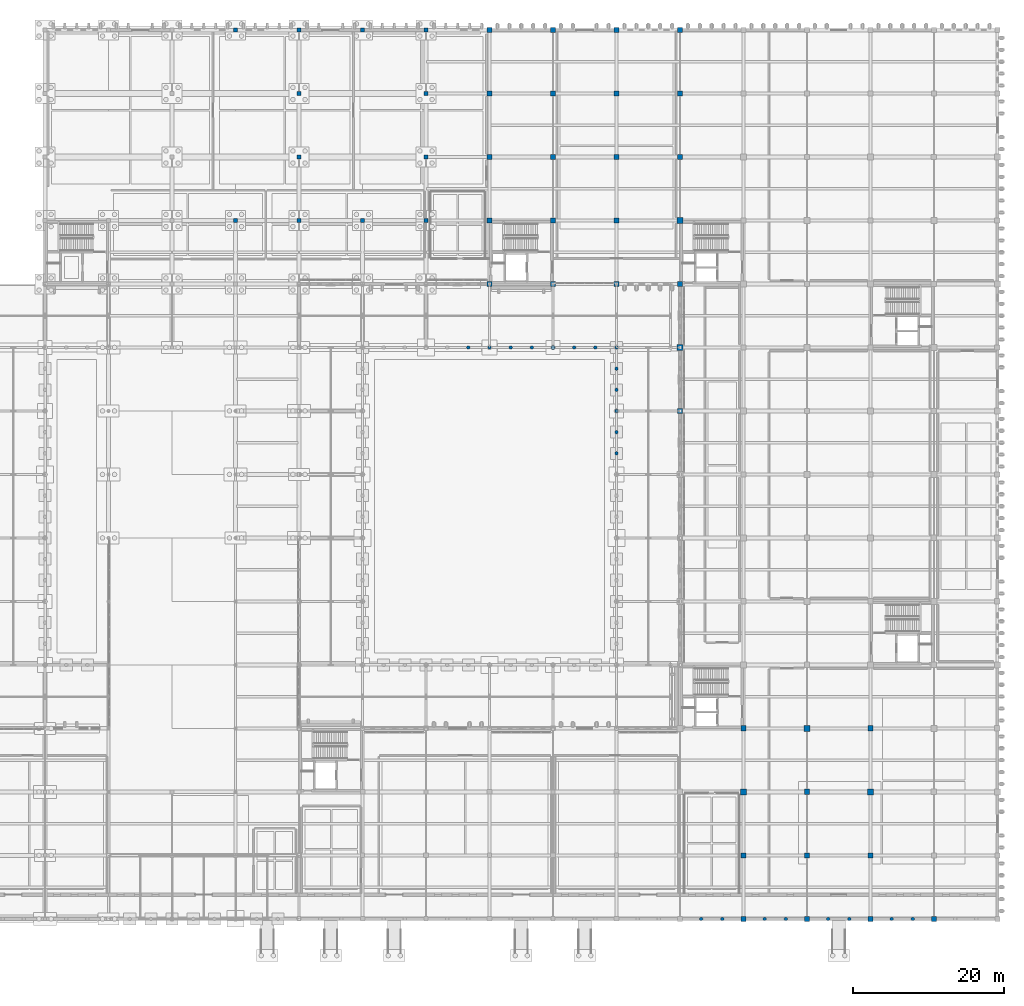
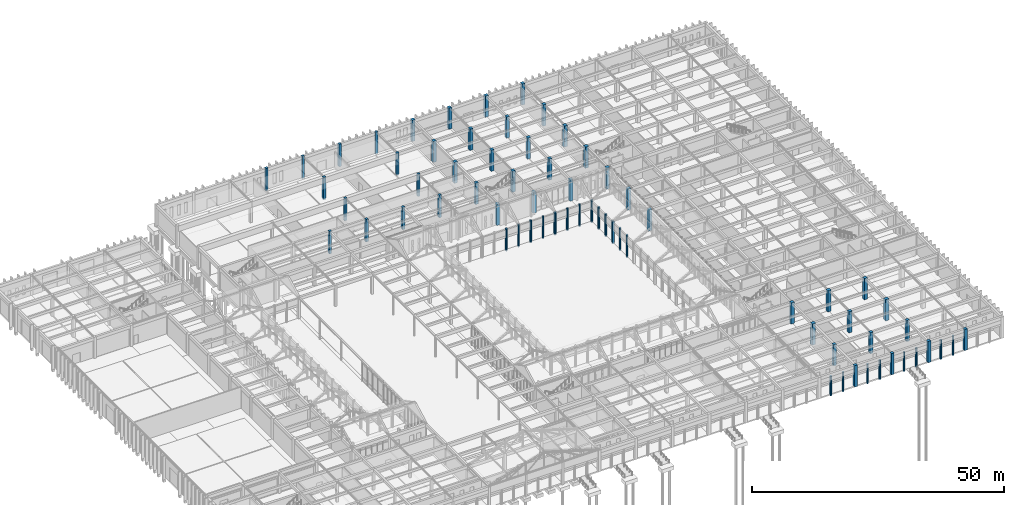
# One storey, part 19 of 143: 68 columns.
"""IFC4 building model written with IfcOpenShell, lengths in metres."""

from ifc_helpers import new_model, si_unit, direction, frame, origin, origin_2d, place, context, subcontext, project, spatial, rectangle, circle, extrude, material, material_profile, profile_set, type_object, element, save


model = new_model("IFC4")

# Units and contexts
model_context = context("Model", 3, precision=1e-05, world=origin(), true_north=direction((0.0, 1.0)))
body_context = subcontext(model_context, "Body", "Model", "MODEL_VIEW")
ifc_project = project(units=[si_unit("LENGTHUNIT", "METRE"), si_unit("AREAUNIT", "SQUARE_METRE"), si_unit("VOLUMEUNIT", "CUBIC_METRE"), si_unit("PLANEANGLEUNIT", "RADIAN"), si_unit("MASSUNIT", "GRAM", prefix="KILO")], contexts=[model_context])

# Site, building, storey
site_placement = place(None, origin())
site = spatial("IfcSite", under=ifc_project, at=site_placement, CompositionType="ELEMENT")
building_placement = place(site_placement, origin())
building = spatial("IfcBuilding", under=site, at=building_placement, Name="Kveldsbrygga Polytechnic", CompositionType="ELEMENT")
storey_placement = place(building_placement, origin())
storey = spatial("IfcBuildingStorey", under=building, at=storey_placement, Name="L00", CompositionType="ELEMENT", Elevation=0.0)

# Columns
ifc_material = material(Name="Concrete C45/55", Category="concrete")
ifc_material_profile_1 = material_profile(ifc_material, circle(Radius=0.22509765625, at=origin_2d()), Name="RC D450")
ifc_profile_set_1 = profile_set([ifc_material_profile_1], Name="Concrete C45/55")
column_type_1 = type_object("IfcColumnType", Name="COL-ARC-D450", PredefinedType="COLUMN", material=ifc_profile_set_1)
for number, where, z_axis, x_axis, name in (
    (1, (100.800048828125, 75.60009765625, -0.320068359375), (0.0, 0.0, 1.0), (1.0, 0.0, 0.0), "Column COL-L00-12-09"),
    (2, (117.60009765625, 75.60009765625, -0.320068359375), (0.0, 0.0, 1.0), (1.0, 0.0, 0.0), "Column COL-L00-14-09"),
):
    element("IfcColumn", number, at=place(storey_placement, frame(where, z_axis=z_axis, x_axis=x_axis)), inside=storey, type_object=column_type_1, Name=name, PredefinedType="COLUMN", context=body_context, shape_type="SweptSolid", body=[
        extrude(circle(Radius=0.22509765625, at=origin_2d()), origin(), (0.0, 0.0, 1.0), 5.4599609375),
    ])
for number, where, z_axis, x_axis, name in (
    (3, (128.800048828125, 0.0, -0.320068359375), (0.0, 0.0, 1.0), (1.0, 0.0, 0.0), "Cloister Arcade Pier COL-ARC-031"),
    (4, (131.60009765625, 0.0, -0.320068359375), (0.0, 0.0, 1.0), (1.0, 0.0, 0.0), "Cloister Arcade Pier COL-ARC-032"),
    (5, (137.199951171875, 0.0, -0.320068359375), (0.0, 0.0, 1.0), (1.0, 0.0, 0.0), "Cloister Arcade Pier COL-ARC-033"),
    (6, (140.0, 0.0, -0.320068359375), (0.0, 0.0, 1.0), (1.0, 0.0, 0.0), "Cloister Arcade Pier COL-ARC-034"),
    (7, (145.60009765625, 0.0, -0.320068359375), (0.0, 0.0, 1.0), (1.0, 0.0, 0.0), "Cloister Arcade Pier COL-ARC-035"),
    (8, (148.39990234375, 0.0, -0.320068359375), (0.0, 0.0, 1.0), (1.0, 0.0, 0.0), "Cloister Arcade Pier COL-ARC-036"),
    (9, (154.0, 0.0, -0.320068359375), (0.0, 0.0, 1.0), (1.0, 0.0, 0.0), "Cloister Arcade Pier COL-ARC-037"),
    (10, (156.800048828125, 0.0, -0.320068359375), (0.0, 0.0, 1.0), (1.0, 0.0, 0.0), "Cloister Arcade Pier COL-ARC-038"),
):
    element("IfcColumn", number, at=place(storey_placement, frame(where, z_axis=z_axis, x_axis=x_axis)), inside=storey, type_object=column_type_1, Name=name, PredefinedType="COLUMN", context=body_context, shape_type="SweptSolid", body=[
        extrude(circle(Radius=0.22509765625, at=origin_2d()), origin(), (0.0, 0.0, 1.0), 4.719970703125),
    ])
for number, where, z_axis, x_axis, name in (
    (11, (98.0, 75.60009765625, -0.320068359375), (0.0, 0.0, 1.0), (1.0, 0.0, 0.0), "Cloister Arcade Pier COL-ARC-062"),
    (12, (103.60009765625, 75.60009765625, -0.320068359375), (0.0, 0.0, 1.0), (1.0, 0.0, 0.0), "Cloister Arcade Pier COL-ARC-065"),
    (13, (106.39990234375, 75.60009765625, -0.320068359375), (0.0, 0.0, 1.0), (1.0, 0.0, 0.0), "Cloister Arcade Pier COL-ARC-066"),
    (14, (112.0, 75.60009765625, -0.320068359375), (0.0, 0.0, 1.0), (1.0, 0.0, 0.0), "Cloister Arcade Pier COL-ARC-069"),
    (15, (114.800048828125, 75.60009765625, -0.320068359375), (0.0, 0.0, 1.0), (1.0, 0.0, 0.0), "Cloister Arcade Pier COL-ARC-070"),
    (16, (117.60009765625, 61.60009765625, -0.320068359375), (0.0, 0.0, 1.0), (1.0, 0.0, 0.0), "Cloister Arcade Pier COL-ARC-085"),
    (17, (117.60009765625, 64.39990234375, -0.320068359375), (0.0, 0.0, 1.0), (1.0, 0.0, 0.0), "Cloister Arcade Pier COL-ARC-086"),
    (18, (117.60009765625, 70.0, -0.320068359375), (0.0, 0.0, 1.0), (1.0, 0.0, 0.0), "Cloister Arcade Pier COL-ARC-089"),
    (19, (117.60009765625, 72.800048828125, -0.320068359375), (0.0, 0.0, 1.0), (1.0, 0.0, 0.0), "Cloister Arcade Pier COL-ARC-090"),
):
    element("IfcColumn", number, at=place(storey_placement, frame(where, z_axis=z_axis, x_axis=x_axis)), inside=storey, type_object=column_type_1, Name=name, PredefinedType="COLUMN", context=body_context, shape_type="SweptSolid", body=[
        extrude(circle(Radius=0.22509765625, at=origin_2d()), origin(), (0.0, 0.0, 1.0), 5.4599609375),
    ])
ifc_material_profile_2 = material_profile(ifc_material, circle(Radius=0.27490234375, at=origin_2d()), Name="RC D550")
ifc_profile_set_2 = profile_set([ifc_material_profile_2], Name="Concrete C45/55")
column_type_2 = type_object("IfcColumnType", Name="COL-ARC-D550", PredefinedType="COLUMN", material=ifc_profile_set_2)
column_1_placement = place(storey_placement, frame((109.199951171875, 75.60009765625, -0.320068359375), z_axis=(0.0, 0.0, 1.0), x_axis=(1.0, 0.0, 0.0)))
element("IfcColumn", 20, at=column_1_placement, inside=storey, type_object=column_type_2, Name="Column COL-L00-13-09", PredefinedType="COLUMN", context=body_context, shape_type="SweptSolid", body=[
    extrude(circle(Radius=0.27490234375, at=origin_2d()), origin(), (0.0, 0.0, 1.0), 5.4599609375),
])
ifc_material_profile_3 = material_profile(ifc_material, rectangle(XDim=0.449951171875, YDim=0.449951171875, at=origin_2d()), Name="RC 450x450")
ifc_profile_set_3 = profile_set([ifc_material_profile_3], Name="Concrete C45/55")
column_type_3 = type_object("IfcColumnType", Name="COL-RC-450", PredefinedType="COLUMN", material=ifc_profile_set_3)
column_2_placement = place(storey_placement, frame((117.60009765625, 67.199951171875, -0.320068359375), z_axis=(0.0, 0.0, 1.0), x_axis=(1.0, 0.0, 0.0)))
element("IfcColumn", 21, at=column_2_placement, inside=storey, type_object=column_type_3, Name="Column COL-L00-14-08", PredefinedType="COLUMN", context=body_context, shape_type="SweptSolid", body=[
    extrude(rectangle(XDim=0.449951171875, YDim=0.449951171875, at=origin_2d()), origin(), (0.0, 0.0, 1.0), 5.4599609375),
])
ifc_material_profile_4 = material_profile(ifc_material, rectangle(XDim=0.5, YDim=0.5, at=origin_2d()), Name="RC 500x500")
ifc_profile_set_4 = profile_set([ifc_material_profile_4], Name="Concrete C45/55")
column_type_4 = type_object("IfcColumnType", Name="COL-RC-500", PredefinedType="COLUMN", material=ifc_profile_set_4)
for number, where, z_axis, x_axis, name in (
    (22, (75.60009765625, 100.800048828125, -0.320068359375), (0.0, 0.0, 1.0), (1.0, 0.0, 0.0), "Column COL-L00-09-12"),
    (23, (75.60009765625, 117.60009765625, -0.320068359375), (0.0, 0.0, 1.0), (1.0, 0.0, 0.0), "Column COL-L00-09-14"),
    (24, (92.39990234375, 100.800048828125, -0.320068359375), (0.0, 0.0, 1.0), (1.0, 0.0, 0.0), "Column COL-L00-11-12"),
    (25, (92.39990234375, 117.60009765625, -0.320068359375), (0.0, 0.0, 1.0), (1.0, 0.0, 0.0), "Column COL-L00-11-14"),
):
    element("IfcColumn", number, at=place(storey_placement, frame(where, z_axis=z_axis, x_axis=x_axis)), inside=storey, type_object=column_type_4, Name=name, PredefinedType="COLUMN", context=body_context, shape_type="SweptSolid", body=[
        extrude(rectangle(XDim=0.5, YDim=0.5, at=origin_2d()), origin(), (0.0, 0.0, 1.0), 5.4599609375),
    ])
ifc_material_profile_5 = material_profile(ifc_material, rectangle(XDim=0.52001953125, YDim=0.52001953125, at=origin_2d()), Name="RC 520x520")
ifc_profile_set_5 = profile_set([ifc_material_profile_5], Name="Concrete C45/55")
column_type_5 = type_object("IfcColumnType", Name="COL-RC-520", PredefinedType="COLUMN", material=ifc_profile_set_5)
for number, where, z_axis, x_axis, name in (
    (26, (67.199951171875, 92.39990234375, -0.320068359375), (0.0, 0.0, 1.0), (1.0, 0.0, 0.0), "Column COL-L00-08-11"),
    (27, (84.0, 92.39990234375, -0.320068359375), (0.0, 0.0, 1.0), (1.0, 0.0, 0.0), "Column COL-L00-10-11"),
):
    element("IfcColumn", number, at=place(storey_placement, frame(where, z_axis=z_axis, x_axis=x_axis)), inside=storey, type_object=column_type_5, Name=name, PredefinedType="COLUMN", context=body_context, shape_type="SweptSolid", body=[
        extrude(rectangle(XDim=0.52001953125, YDim=0.52001953125, at=origin_2d()), origin(), (0.0, 0.0, 1.0), 5.4599609375),
    ])
ifc_material_profile_6 = material_profile(ifc_material, rectangle(XDim=0.550048828125, YDim=0.550048828125, at=origin_2d()), Name="RC 550x550")
ifc_profile_set_6 = profile_set([ifc_material_profile_6], Name="Concrete C45/55")
column_type_6 = type_object("IfcColumnType", Name="COL-RC-550", PredefinedType="COLUMN", material=ifc_profile_set_6)
for number, where, z_axis, x_axis, name in (
    (28, (67.199951171875, 117.60009765625, -0.320068359375), (0.0, 0.0, 1.0), (1.0, 0.0, 0.0), "Column COL-L00-08-14"),
    (29, (75.60009765625, 92.39990234375, -0.320068359375), (0.0, 0.0, 1.0), (1.0, 0.0, 0.0), "Column COL-L00-09-11"),
    (30, (75.60009765625, 109.199951171875, -0.320068359375), (0.0, 0.0, 1.0), (1.0, 0.0, 0.0), "Column COL-L00-09-13"),
    (31, (84.0, 117.60009765625, -0.320068359375), (0.0, 0.0, 1.0), (1.0, 0.0, 0.0), "Column COL-L00-10-14"),
    (32, (92.39990234375, 92.39990234375, -0.320068359375), (0.0, 0.0, 1.0), (1.0, 0.0, 0.0), "Column COL-L00-11-11"),
    (33, (92.39990234375, 109.199951171875, -0.320068359375), (0.0, 0.0, 1.0), (1.0, 0.0, 0.0), "Column COL-L00-11-13"),
):
    element("IfcColumn", number, at=place(storey_placement, frame(where, z_axis=z_axis, x_axis=x_axis)), inside=storey, type_object=column_type_6, Name=name, PredefinedType="COLUMN", context=body_context, shape_type="SweptSolid", body=[
        extrude(rectangle(XDim=0.550048828125, YDim=0.550048828125, at=origin_2d()), origin(), (0.0, 0.0, 1.0), 5.4599609375),
    ])
ifc_material_profile_7 = material_profile(ifc_material, rectangle(XDim=0.6201171875, YDim=0.6201171875, at=origin_2d()), Name="RC 620x620")
ifc_profile_set_7 = profile_set([ifc_material_profile_7], Name="Concrete C45/55")
column_type_7 = type_object("IfcColumnType", Name="COL-RC-620", PredefinedType="COLUMN", material=ifc_profile_set_7)
for number, where, z_axis, x_axis, name in (
    (34, (134.39990234375, 8.39990234375, 0.0), (0.0, 0.0, 1.0), (1.0, 0.0, 0.0), "Column COL-L00-16-01"),
    (35, (142.800048828125, 0.0, 0.0), (0.0, 0.0, 1.0), (1.0, 0.0, 0.0), "Column COL-L00-17-00"),
    (36, (151.199951171875, 8.39990234375, 0.0), (0.0, 0.0, 1.0), (1.0, 0.0, 0.0), "Column COL-L00-18-01"),
    (37, (159.60009765625, 0.0, 0.0), (0.0, 0.0, 1.0), (1.0, 0.0, 0.0), "Column COL-L00-19-00"),
):
    element("IfcColumn", number, at=place(storey_placement, frame(where, z_axis=z_axis, x_axis=x_axis)), inside=storey, type_object=column_type_7, Name=name, PredefinedType="COLUMN", context=body_context, shape_type="SweptSolid", body=[
        extrude(rectangle(XDim=0.6201171875, YDim=0.6201171875, at=origin_2d()), origin(), (0.0, 0.0, 1.0), 5.139892578125),
    ])
ifc_material_profile_8 = material_profile(ifc_material, rectangle(XDim=0.64990234375, YDim=0.64990234375, at=origin_2d()), Name="RC 650x650")
ifc_profile_set_8 = profile_set([ifc_material_profile_8], Name="Concrete C45/55")
column_type_8 = type_object("IfcColumnType", Name="COL-RC-650", PredefinedType="COLUMN", material=ifc_profile_set_8)
for number, where, z_axis, x_axis, name in (
    (38, (134.39990234375, 0.0, 0.0), (0.0, 0.0, 1.0), (1.0, 0.0, 0.0), "Column COL-L00-16-00"),
    (39, (142.800048828125, 8.39990234375, 0.0), (0.0, 0.0, 1.0), (1.0, 0.0, 0.0), "Column COL-L00-17-01"),
    (40, (151.199951171875, 0.0, 0.0), (0.0, 0.0, 1.0), (1.0, 0.0, 0.0), "Column COL-L00-18-00"),
):
    element("IfcColumn", number, at=place(storey_placement, frame(where, z_axis=z_axis, x_axis=x_axis)), inside=storey, type_object=column_type_8, Name=name, PredefinedType="COLUMN", context=body_context, shape_type="SweptSolid", body=[
        extrude(rectangle(XDim=0.64990234375, YDim=0.64990234375, at=origin_2d()), origin(), (0.0, 0.0, 1.0), 5.139892578125),
    ])
ifc_material_profile_9 = material_profile(ifc_material, rectangle(XDim=0.679931640625, YDim=0.679931640625, at=origin_2d()), Name="RC 680x680")
ifc_profile_set_9 = profile_set([ifc_material_profile_9], Name="Concrete C45/55")
column_type_9 = type_object("IfcColumnType", Name="COL-RC-680", PredefinedType="COLUMN", material=ifc_profile_set_9)
for number, where, z_axis, x_axis, name in (
    (41, (100.800048828125, 92.39990234375, 0.0), (0.0, 0.0, 1.0), (1.0, 0.0, 0.0), "Column COL-L00-12-11"),
    (42, (100.800048828125, 109.199951171875, 0.0), (0.0, 0.0, 1.0), (1.0, 0.0, 0.0), "Column COL-L00-12-13"),
    (43, (109.199951171875, 84.0, 0.0), (0.0, 0.0, 1.0), (1.0, 0.0, 0.0), "Column COL-L00-13-10"),
    (44, (109.199951171875, 100.800048828125, 0.0), (0.0, 0.0, 1.0), (1.0, 0.0, 0.0), "Column COL-L00-13-12"),
    (45, (109.199951171875, 117.60009765625, 0.0), (0.0, 0.0, 1.0), (1.0, 0.0, 0.0), "Column COL-L00-13-14"),
    (46, (117.60009765625, 92.39990234375, 0.0), (0.0, 0.0, 1.0), (1.0, 0.0, 0.0), "Column COL-L00-14-11"),
    (47, (117.60009765625, 109.199951171875, 0.0), (0.0, 0.0, 1.0), (1.0, 0.0, 0.0), "Column COL-L00-14-13"),
    (48, (126.0, 117.60009765625, 0.0), (0.0, 0.0, 1.0), (1.0, 0.0, 0.0), "Column COL-L00-15-14"),
):
    element("IfcColumn", number, at=place(storey_placement, frame(where, z_axis=z_axis, x_axis=x_axis)), inside=storey, type_object=column_type_9, Name=name, PredefinedType="COLUMN", context=body_context, shape_type="SweptSolid", body=[
        extrude(rectangle(XDim=0.679931640625, YDim=0.679931640625, at=origin_2d()), origin(), (0.0, 0.0, 1.0), 5.139892578125),
    ])
ifc_material_profile_10 = material_profile(ifc_material, rectangle(XDim=0.699951171875, YDim=0.699951171875, at=origin_2d()), Name="RC 700x700")
ifc_profile_set_10 = profile_set([ifc_material_profile_10], Name="Concrete C45/55")
column_type_10 = type_object("IfcColumnType", Name="COL-RC-700", PredefinedType="COLUMN", material=ifc_profile_set_10)
for number, where, z_axis, x_axis, name in (
    (49, (100.800048828125, 84.0, 0.0), (0.0, 0.0, 1.0), (1.0, 0.0, 0.0), "Column COL-L00-12-10"),
    (50, (100.800048828125, 100.800048828125, 0.0), (0.0, 0.0, 1.0), (1.0, 0.0, 0.0), "Column COL-L00-12-12"),
    (51, (100.800048828125, 117.60009765625, 0.0), (0.0, 0.0, 1.0), (1.0, 0.0, 0.0), "Column COL-L00-12-14"),
    (52, (109.199951171875, 92.39990234375, 0.0), (0.0, 0.0, 1.0), (1.0, 0.0, 0.0), "Column COL-L00-13-11"),
    (53, (109.199951171875, 109.199951171875, 0.0), (0.0, 0.0, 1.0), (1.0, 0.0, 0.0), "Column COL-L00-13-13"),
    (54, (117.60009765625, 84.0, 0.0), (0.0, 0.0, 1.0), (1.0, 0.0, 0.0), "Column COL-L00-14-10"),
    (55, (117.60009765625, 100.800048828125, 0.0), (0.0, 0.0, 1.0), (1.0, 0.0, 0.0), "Column COL-L00-14-12"),
    (56, (117.60009765625, 117.60009765625, 0.0), (0.0, 0.0, 1.0), (1.0, 0.0, 0.0), "Column COL-L00-14-14"),
    (57, (126.0, 109.199951171875, 0.0), (0.0, 0.0, 1.0), (1.0, 0.0, 0.0), "Column COL-L00-15-13"),
):
    element("IfcColumn", number, at=place(storey_placement, frame(where, z_axis=z_axis, x_axis=x_axis)), inside=storey, type_object=column_type_10, Name=name, PredefinedType="COLUMN", context=body_context, shape_type="SweptSolid", body=[
        extrude(rectangle(XDim=0.699951171875, YDim=0.699951171875, at=origin_2d()), origin(), (0.0, 0.0, 1.0), 5.139892578125),
    ])
ifc_material_profile_11 = material_profile(ifc_material, rectangle(XDim=0.719970703125, YDim=0.719970703125, at=origin_2d()), Name="RC 720x720")
ifc_profile_set_11 = profile_set([ifc_material_profile_11], Name="Concrete C45/55")
column_type_11 = type_object("IfcColumnType", Name="COL-RC-720", PredefinedType="COLUMN", material=ifc_profile_set_11)
for number, where, z_axis, x_axis, name in (
    (58, (126.0, 67.199951171875, 0.0), (0.0, 0.0, 1.0), (1.0, 0.0, 0.0), "Column COL-L00-15-08"),
    (59, (126.0, 84.0, 0.0), (0.0, 0.0, 1.0), (1.0, 0.0, 0.0), "Column COL-L00-15-10"),
    (60, (126.0, 100.800048828125, 0.0), (0.0, 0.0, 1.0), (1.0, 0.0, 0.0), "Column COL-L00-15-12"),
    (61, (134.39990234375, 25.199951171875, 0.0), (0.0, 0.0, 1.0), (1.0, 0.0, 0.0), "Column COL-L00-16-03"),
    (62, (142.800048828125, 16.800048828125, 0.0), (0.0, 0.0, 1.0), (1.0, 0.0, 0.0), "Column COL-L00-17-02"),
    (63, (151.199951171875, 25.199951171875, 0.0), (0.0, 0.0, 1.0), (1.0, 0.0, 0.0), "Column COL-L00-18-03"),
):
    element("IfcColumn", number, at=place(storey_placement, frame(where, z_axis=z_axis, x_axis=x_axis)), inside=storey, type_object=column_type_11, Name=name, PredefinedType="COLUMN", context=body_context, shape_type="SweptSolid", body=[
        extrude(rectangle(XDim=0.719970703125, YDim=0.719970703125, at=origin_2d()), origin(), (0.0, 0.0, 1.0), 5.139892578125),
    ])
ifc_material_profile_12 = material_profile(ifc_material, rectangle(XDim=0.75, YDim=0.75, at=origin_2d()), Name="RC 750x750")
ifc_profile_set_12 = profile_set([ifc_material_profile_12], Name="Concrete C45/55")
column_type_12 = type_object("IfcColumnType", Name="COL-RC-750", PredefinedType="COLUMN", material=ifc_profile_set_12)
for number, where, z_axis, x_axis, name in (
    (64, (126.0, 75.60009765625, 0.0), (0.0, 0.0, 1.0), (1.0, 0.0, 0.0), "Column COL-L00-15-09"),
    (65, (126.0, 92.39990234375, 0.0), (0.0, 0.0, 1.0), (1.0, 0.0, 0.0), "Column COL-L00-15-11"),
    (66, (134.39990234375, 16.800048828125, 0.0), (0.0, 0.0, 1.0), (1.0, 0.0, 0.0), "Column COL-L00-16-02"),
    (67, (142.800048828125, 25.199951171875, 0.0), (0.0, 0.0, 1.0), (1.0, 0.0, 0.0), "Column COL-L00-17-03"),
    (68, (151.199951171875, 16.800048828125, 0.0), (0.0, 0.0, 1.0), (1.0, 0.0, 0.0), "Column COL-L00-18-02"),
):
    element("IfcColumn", number, at=place(storey_placement, frame(where, z_axis=z_axis, x_axis=x_axis)), inside=storey, type_object=column_type_12, Name=name, PredefinedType="COLUMN", context=body_context, shape_type="SweptSolid", body=[
        extrude(rectangle(XDim=0.75, YDim=0.75, at=origin_2d()), origin(), (0.0, 0.0, 1.0), 5.139892578125),
    ])

save(model, "model.ifc")
